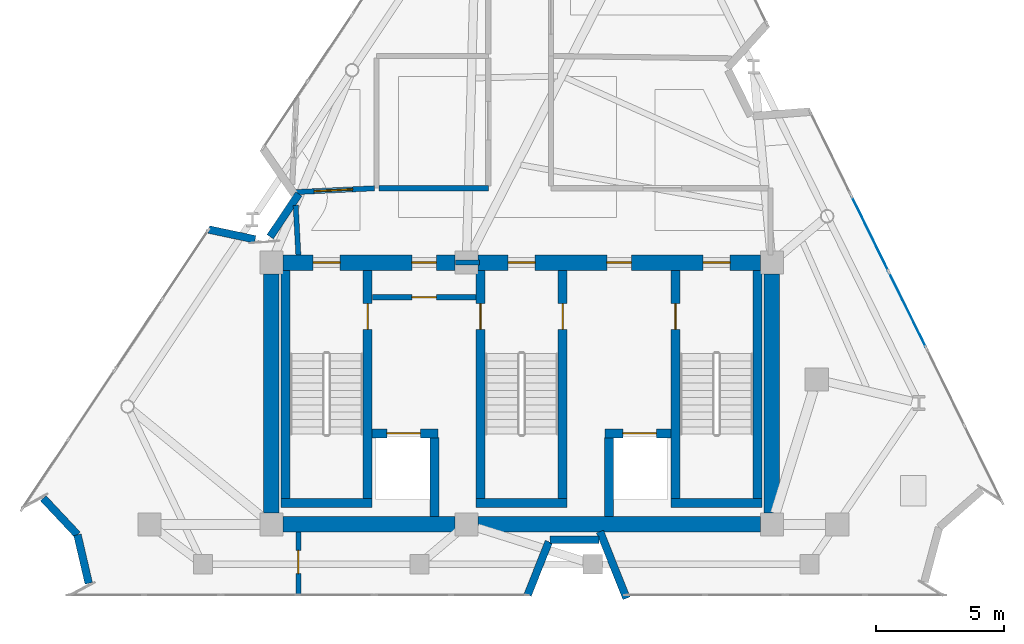
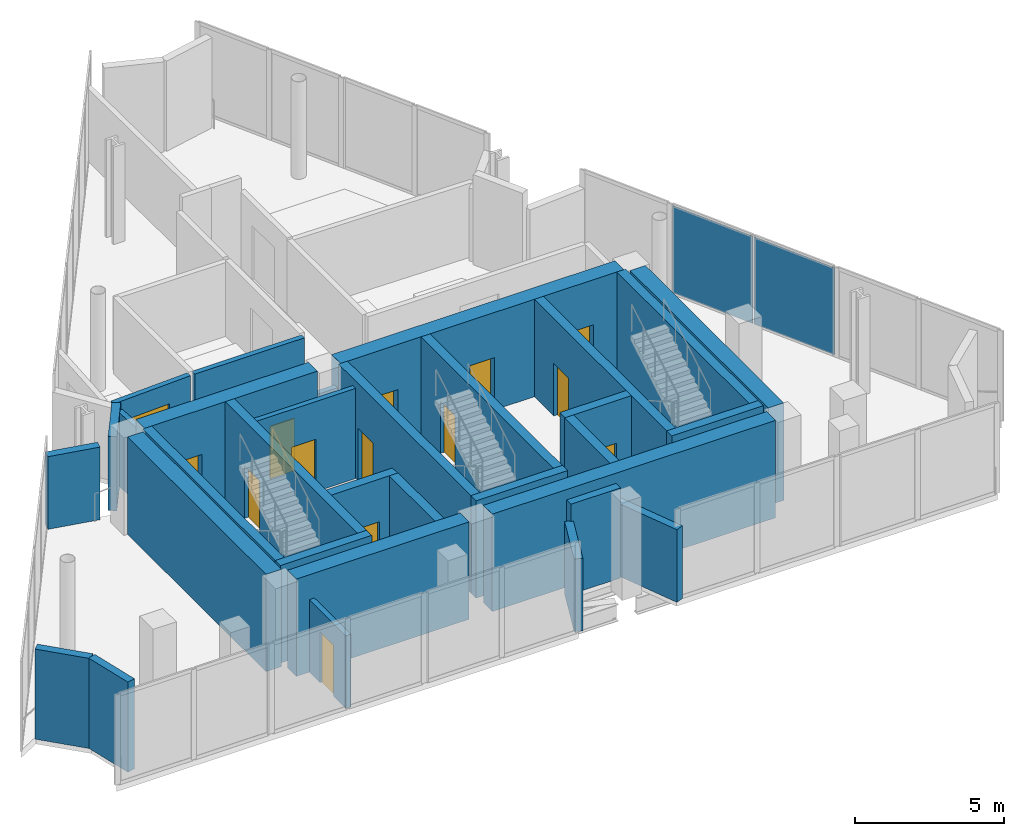
# One storey, part 6 of 9: 32 walls, 14 doors, 2 plates, 14 openings, 1 element without a shape of its own.
"""IFC4 building model written with IfcOpenShell, lengths in metres."""

from ifc_helpers import new_model, si_unit, direction, frame, frame_2d, origin, origin_2d, place, context, subcontext, project, spatial, rectangle, extrude, material, layer, layer_set, type_object, element, fill, aggregate, save


model = new_model("IFC4")

# Units and contexts
model_context = context("Model", 3, precision=1e-05, world=origin(), true_north=direction((0.0, 1.0)))
body_context = subcontext(model_context, "Body", "Model", "MODEL_VIEW")
ifc_project = project(units=[si_unit("LENGTHUNIT", "METRE"), si_unit("AREAUNIT", "SQUARE_METRE"), si_unit("VOLUMEUNIT", "CUBIC_METRE"), si_unit("PLANEANGLEUNIT", "RADIAN"), si_unit("MASSUNIT", "GRAM", prefix="KILO")], contexts=[model_context])

# Site, building, storey
site_placement = place(None, origin())
site = spatial("IfcSite", under=ifc_project, at=site_placement, CompositionType="ELEMENT")
building_placement = place(site_placement, origin())
building = spatial("IfcBuilding", under=site, at=building_placement, Name="Almagre Mirador Tower", CompositionType="ELEMENT")
storey_placement = place(building_placement, frame((0.0, 0.0, 302.5)))
storey = spatial("IfcBuildingStorey", under=building, at=storey_placement, Name="L78", CompositionType="ELEMENT", Elevation=302.5)

# Curtain wall, plates
ifc_material_1 = material(Name="Black anodized aluminium", Category="aluminium")
ifc_layer_1 = layer(ifc_material_1, 0.2099609375)
ifc_layer_set_1 = layer_set([ifc_layer_1], Name="Black anodized aluminium")
curtain_wall_type = type_object("IfcCurtainWallType", Name="CW-CRN-SYS", PredefinedType="NOTDEFINED", material=ifc_layer_set_1)
curtain_wall_placement = place(storey_placement, origin())
curtain_wall = element("IfcCurtainWall", 1, at=curtain_wall_placement, inside=storey, type_object=curtain_wall_type, Name="L78 curtain wall run 09", PredefinedType="NOTDEFINED")
ifc_material_2 = material(Name="Dark solar-control laminated hurricane glass", Category="glass")
ifc_layer_2 = layer(ifc_material_2, 0.030029296875)
ifc_layer_set_2 = layer_set([ifc_layer_2], Name="Dark solar-control laminated hurricane glass")
plate_type = type_object("IfcPlateType", Name="PLT-SPN-30", PredefinedType="CURTAIN_PANEL", material=ifc_layer_set_2)
plate_1_placement = place(storey_placement, frame((50.874755859375, 15.883056640625, 0.06494140625), z_axis=(0.0, 0.0, 1.0), x_axis=(0.441262450712, -0.897378097343, 0.0)))
plate_1 = element("IfcPlate", 2, at=plate_1_placement, type_object=plate_type, Name="CW-6 panel 1.1", PredefinedType="CURTAIN_PANEL", context=body_context, shape_type="SweptSolid", body=[
    extrude(rectangle(XDim=3.240966796875, YDim=0.030029296875, at=origin_2d()), origin(), (0.0, 0.0, 1.0), 3.570068359375),
])
plate_2_placement = place(storey_placement, frame((52.3359375, 12.91162109375, 0.06494140625), z_axis=(0.0, 0.0, 1.0), x_axis=(0.441262450712, -0.897378097343, 0.0)))
plate_2 = element("IfcPlate", 3, at=plate_2_placement, type_object=plate_type, Name="CW-6 panel 2.1", PredefinedType="CURTAIN_PANEL", context=body_context, shape_type="SweptSolid", body=[
    extrude(rectangle(XDim=3.240966796875, YDim=0.030029296875, at=origin_2d()), origin(), (0.0, 0.0, 1.0), 3.570068359375),
])
aggregate(curtain_wall, [plate_1, plate_2])

# Walls
ifc_material_3 = material(Name="Precast concrete C50/60", Category="concrete")
ifc_layer_3 = layer(ifc_material_3, 0.300048828125)
ifc_layer_set_3 = layer_set([ifc_layer_3], Name="Precast concrete C50/60")
wall_type_1 = type_object("IfcWallType", Name="WAL-EXT-300", PredefinedType="SOLIDWALL", material=ifc_layer_set_3)
wall_1_placement = place(storey_placement, frame((25.106201171875, 16.039794921875, 0.0), z_axis=(0.0, 0.0, 1.0), x_axis=(0.978002892231, -0.208591329607, 0.0)))
element("IfcWall", 4, at=wall_1_placement, inside=storey, type_object=wall_type_1, Name="L78 expressed almagre precast frame wall 01", PredefinedType="SOLIDWALL", context=body_context, shape_type="SweptSolid", body=[
    extrude(rectangle(XDim=1.849365234375, YDim=0.300048828125, at=frame_2d((0.9248046875, 0.0))), origin(), (0.0, 0.0, 1.0), 2.98193359375),
])
wall_2_placement = place(storey_placement, frame((27.501953125, 15.756103515625, 0.0), z_axis=(0.0, 0.0, 1.0), x_axis=(0.555175962623, 0.831732920189, 0.0)))
element("IfcWall", 5, at=wall_2_placement, inside=storey, type_object=wall_type_1, Name="L78 expressed almagre precast frame wall 02", PredefinedType="SOLIDWALL", context=body_context, shape_type="SweptSolid", body=[
    extrude(rectangle(XDim=2.0126953125, YDim=0.300048828125, at=frame_2d((1.00634765625, 0.0))), origin(), (0.0, 0.0, 1.0), 3.0400390625),
])
wall_3_placement = place(storey_placement, frame((41.3876953125, 1.670166015625, 0.0), z_axis=(0.0, 0.0, 1.0), x_axis=(-0.369522281606, 0.929221869844, 0.0)))
element("IfcWall", 6, at=wall_3_placement, inside=storey, type_object=wall_type_1, Name="L78 expressed almagre precast frame wall 11", PredefinedType="SOLIDWALL", context=body_context, shape_type="SweptSolid", body=[
    extrude(rectangle(XDim=2.794677734375, YDim=0.300048828125, at=frame_2d((1.3974609375, 0.0))), origin(), (0.0, 0.0, 1.0), 2.98193359375),
])
wall_4_placement = place(storey_placement, frame((40.319091796875, 3.949951171875, 0.0), z_axis=(0.0, 0.0, 1.0), x_axis=(-1.0, 0.0, 0.0)))
element("IfcWall", 7, at=wall_4_placement, inside=storey, type_object=wall_type_1, Name="L78 expressed almagre precast frame wall 12", PredefinedType="SOLIDWALL", context=body_context, shape_type="SweptSolid", body=[
    extrude(rectangle(XDim=1.92138671875, YDim=0.300048828125, at=frame_2d((0.960693359375, 0.0))), origin(), (0.0, 0.0, 1.0), 3.699951171875),
])
wall_5_placement = place(storey_placement, frame((38.360107421875, 3.872314453125, 0.0), z_axis=(0.0, 0.0, 1.0), x_axis=(-0.369521081778, -0.929222346977, 0.0)))
element("IfcWall", 8, at=wall_5_placement, inside=storey, type_object=wall_type_1, Name="L78 expressed almagre precast frame wall 13", PredefinedType="SOLIDWALL", context=body_context, shape_type="SweptSolid", body=[
    extrude(rectangle(XDim=2.229736328125, YDim=0.300048828125, at=frame_2d((1.11474609375, 0.0))), origin(), (0.0, 0.0, 1.0), 2.98193359375),
])
wall_6_placement = place(storey_placement, frame((20.431396484375, 2.25341796875, 0.0), z_axis=(0.0, 0.0, 1.0), x_axis=(-0.226355436514, 0.97404477123, 0.0)))
element("IfcWall", 9, at=wall_6_placement, inside=storey, type_object=wall_type_1, Name="L78 expressed almagre precast frame wall 14", PredefinedType="SOLIDWALL", context=body_context, shape_type="SweptSolid", body=[
    extrude(rectangle(XDim=1.942626953125, YDim=0.300048828125, at=frame_2d((0.97119140625, 0.0))), origin(), (0.0, 0.0, 1.0), 3.699951171875),
])
wall_7_placement = place(storey_placement, frame((19.9892578125, 4.14990234375, 0.0), z_axis=(0.0, 0.0, 1.0), x_axis=(-0.684517683679, 0.728996255636, 0.0)))
element("IfcWall", 10, at=wall_7_placement, inside=storey, type_object=wall_type_1, Name="L78 expressed almagre precast frame wall 15", PredefinedType="SOLIDWALL", context=body_context, shape_type="SweptSolid", body=[
    extrude(rectangle(XDim=1.943115234375, YDim=0.300048828125, at=frame_2d((0.9716796875, 0.0))), origin(), (0.0, 0.0, 1.0), 3.699951171875),
])
ifc_material_4 = material(Name="Gypsum acoustic stud partition", Category="other")
ifc_layer_4 = layer(ifc_material_4, 0.199951171875)
ifc_layer_set_4 = layer_set([ifc_layer_4], Name="Gypsum acoustic stud partition")
wall_type_2 = type_object("IfcWallType", Name="WAL-PRT-200-EI60", PredefinedType="PARTITIONING", material=ifc_layer_set_4)
wall_8_placement = place(storey_placement, frame((34.719970703125, 14.75, 0.0), z_axis=(0.0, 0.0, 1.0), x_axis=(1.0, 0.0, 0.0)))
element("IfcWall", 11, at=wall_8_placement, inside=storey, type_object=wall_type_2, Name="L78 core north closure wall", PredefinedType="PARTITIONING", context=body_context, shape_type="SweptSolid", body=[
    extrude(rectangle(XDim=0.93505859375, YDim=0.199951171875, at=frame_2d((0.467529296875, 0.0))), origin(), (0.0, 0.0, 1.0), 2.885009765625),
])

# Wall, opening, door
wall_9_placement = place(storey_placement, frame((31.47998046875, 13.39990234375, 0.0), z_axis=(0.0, 0.0, 1.0), x_axis=(1.0, 0.0, 0.0)))
wall_9 = element("IfcWall", 12, at=wall_9_placement, inside=storey, type_object=wall_type_2, Name="L78 FFL-1 north enclosure wall", PredefinedType="PARTITIONING", context=body_context, shape_type="SweptSolid", body=[
    extrude(rectangle(XDim=4.0400390625, YDim=0.199951171875, at=frame_2d((2.02001953125, 0.0))), origin(), (0.0, 0.0, 1.0), 3.699951171875),
])
opening_1_placement = place(wall_9_placement, frame((1.544921875, 0.0, 0.0)))
opening_1 = element("IfcOpeningElement", 13, at=opening_1_placement, cuts=wall_9, Name="Opening ID-02", PredefinedType="OPENING", context=body_context, shape_type="SweptSolid", body=[
    extrude(rectangle(XDim=0.949951171875, YDim=2.14990234375, at=frame_2d((0.47509765625, 1.074951171875))), frame((0.0, 0.110098, 0.0), z_axis=(0.0, -1.0, 0.0), x_axis=(1.0, 0.0, 0.0)), (0.0, 0.0, 1.0), 0.219951),
])
ifc_material_5 = material(Name="Fire-rated walnut timber", Category="wood")
door_type_1 = type_object("IfcDoorType", Name="DOR-FD60-950X2150", OperationType="NOTDEFINED", PredefinedType="DOOR", material=ifc_material_5)
door_1_placement = place(opening_1_placement, origin())
door_1 = element("IfcDoor", 14, at=door_1_placement, inside=storey, type_object=door_type_1, Name="DR-2299 L78 FFL-1 north smoke door", OperationType="SINGLE_SWING_RIGHT", OverallHeight=2.14990234375, OverallWidth=0.949951171875, PredefinedType="DOOR", context=body_context, shape_type="SweptSolid", body=[
    extrude(rectangle(XDim=0.949951171875, YDim=2.14990234375, at=frame_2d((0.47509765625, 1.074951171875))), frame((0.0, 0.02490234375, 0.0), z_axis=(0.0, -1.0, 0.0), x_axis=(1.0, 0.0, 0.0)), (0.0, 0.0, 1.0), 0.050048828125),
])
fill(opening_1, door_1)

# Wall
wall_10_placement = place(storey_placement, frame((31.735107421875, 17.64990234375, 0.0), z_axis=(0.0, 0.0, 1.0), x_axis=(1.0, 0.0, 0.0)))
element("IfcWall", 15, at=wall_10_placement, inside=storey, type_object=wall_type_2, Name="L78 interior partition 004", PredefinedType="PARTITIONING", context=body_context, shape_type="SweptSolid", body=[
    extrude(rectangle(XDim=4.264892578125, YDim=0.199951171875, at=frame_2d((2.13232421875, 0.0))), origin(), (0.0, 0.0, 1.0), 3.034912109375),
])

# Wall, opening, door
wall_11_placement = place(storey_placement, frame((28.60009765625, 4.25, 0.0), z_axis=(0.0, 0.0, 1.0), x_axis=(0.0, -1.0, 0.0)))
wall_11 = element("IfcWall", 16, at=wall_11_placement, inside=storey, type_object=wall_type_2, Name="L78 interior partition 006", PredefinedType="PARTITIONING", context=body_context, shape_type="SweptSolid", body=[
    extrude(rectangle(XDim=2.449951171875, YDim=0.199951171875, at=frame_2d((1.22509765625, 0.0))), origin(), (0.0, 0.0, 1.0), 2.97705078125),
])
opening_2_placement = place(wall_11_placement, frame((0.71728515625, 0.0, 0.0)))
opening_2 = element("IfcOpeningElement", 17, at=opening_2_placement, cuts=wall_11, Name="Opening ID-03", PredefinedType="OPENING", context=body_context, shape_type="SweptSolid", body=[
    extrude(rectangle(XDim=0.89990234375, YDim=2.10009765625, at=frame_2d((0.449951171875, 1.050048828125))), frame((0.0, 0.110098, 0.0), z_axis=(0.0, -1.0, 0.0), x_axis=(1.0, 0.0, 0.0)), (0.0, 0.0, 1.0), 0.219951),
])
ifc_material_6 = material(Name="Fire-rated hollow steel", Category="steel")
door_type_2 = type_object("IfcDoorType", Name="DOR-FD60-900X2100", OperationType="NOTDEFINED", PredefinedType="DOOR", material=ifc_material_6)
door_2_placement = place(opening_2_placement, origin())
door_2 = element("IfcDoor", 18, at=door_2_placement, inside=storey, type_object=door_type_2, Name="DR-2309 L78 interior door L78-KPLT7 to L78-KPLT6", OperationType="SINGLE_SWING_LEFT", OverallHeight=2.10009765625, OverallWidth=0.89990234375, PredefinedType="DOOR", context=body_context, shape_type="SweptSolid", body=[
    extrude(rectangle(XDim=0.89990234375, YDim=2.10009765625, at=frame_2d((0.449951171875, 1.050048828125))), frame((0.0, 0.02490234375, 0.0), z_axis=(0.0, -1.0, 0.0), x_axis=(1.0, 0.0, 0.0)), (0.0, 0.0, 1.0), 0.050048828125),
])
fill(opening_2, door_2)

wall_12_placement = place(storey_placement, frame((28.5048828125, 17.498046875, 0.0), z_axis=(0.0, 0.0, 1.0), x_axis=(0.998829596157, 0.04836773553, 0.0)))
wall_12 = element("IfcWall", 19, at=wall_12_placement, inside=storey, type_object=wall_type_2, Name="L78 interior partition 008", PredefinedType="PARTITIONING", context=body_context, shape_type="SweptSolid", body=[
    extrude(rectangle(XDim=3.06396484375, YDim=0.199951171875, at=frame_2d((1.531982421875, 0.0))), origin(), (0.0, 0.0, 1.0), 3.034912109375),
])
opening_3_placement = place(wall_12_placement, frame((0.711181640625, 0.0, 0.0)))
opening_3 = element("IfcOpeningElement", 20, at=opening_3_placement, cuts=wall_12, Name="Opening ID-04", PredefinedType="OPENING", context=body_context, shape_type="SweptSolid", body=[
    extrude(rectangle(XDim=1.5, YDim=2.199951171875, at=frame_2d((0.75, 1.10009765625))), frame((0.0, 0.110098, 0.0), z_axis=(0.0, -1.0, 0.0), x_axis=(1.0, 0.0, 0.0)), (0.0, 0.0, 1.0), 0.219951),
])
ifc_material_7 = material(Name="Fire-rated hollow steel", Category="steel")
door_type_3 = type_object("IfcDoorType", Name="DOR-FD60-1500X2200", OperationType="DOUBLE_DOOR_SINGLE_SWING", PredefinedType="DOOR", material=ifc_material_7)
door_3_placement = place(opening_3_placement, origin())
door_3 = element("IfcDoor", 21, at=door_3_placement, inside=storey, type_object=door_type_3, Name="DR-2305 L78 interior door L78-KPLT4 to L78-KCOR", OperationType="DOUBLE_DOOR_SINGLE_SWING", OverallHeight=2.199951171875, OverallWidth=1.5, PredefinedType="DOOR", context=body_context, shape_type="SweptSolid", body=[
    extrude(rectangle(XDim=1.5, YDim=2.199951171875, at=frame_2d((0.75, 1.10009765625))), frame((0.0, 0.02490234375, 0.0), z_axis=(0.0, -1.0, 0.0), x_axis=(1.0, 0.0, 0.0)), (0.0, 0.0, 1.0), 0.050048828125),
])
fill(opening_3, door_3)

# Walls
wall_13_placement = place(storey_placement, frame((28.49609375, 16.98388671875, 0.0), z_axis=(0.0, 0.0, 1.0), x_axis=(0.053703478209, -0.998556926984, 0.0)))
element("IfcWall", 22, at=wall_13_placement, inside=storey, type_object=wall_type_2, Name="L78 interior partition 014", PredefinedType="PARTITIONING", context=body_context, shape_type="SweptSolid", body=[
    extrude(rectangle(XDim=1.9365234375, YDim=0.199951171875, at=frame_2d((0.96826171875, 0.0))), origin(), (0.0, 0.0, 1.0), 3.034912109375),
])
ifc_material_8 = material(Name="Concrete C60/75", Category="concrete")
ifc_layer_5 = layer(ifc_material_8, 0.35009765625)
ifc_layer_set_5 = layer_set([ifc_layer_5], Name="Concrete C60/75")
wall_type_3 = type_object("IfcWallType", Name="WAL-SHF-350", PredefinedType="SOLIDWALL", material=ifc_layer_set_5)
wall_14_placement = place(storey_placement, frame((28.10009765625, 5.199951171875, 0.0), z_axis=(0.0, 0.0, 1.0), x_axis=(0.0, 1.0, 0.0)))
element("IfcWall", 23, at=wall_14_placement, inside=storey, type_object=wall_type_3, Name="L78 shaft wall ST1-W", PredefinedType="SOLIDWALL", context=body_context, shape_type="SweptSolid", body=[
    extrude(rectangle(XDim=9.25, YDim=0.35009765625, at=frame_2d((4.625, 0.0))), origin(), (0.0, 0.0, 1.0), 4.0),
])

# Wall, opening, door
wall_15_placement = place(storey_placement, frame((31.300048828125, 5.199951171875, 0.0), z_axis=(0.0, 0.0, 1.0), x_axis=(0.0, 1.0, 0.0)))
wall_15 = element("IfcWall", 24, at=wall_15_placement, inside=storey, type_object=wall_type_3, Name="L78 shaft wall ST1-E", PredefinedType="SOLIDWALL", context=body_context, shape_type="SweptSolid", body=[
    extrude(rectangle(XDim=9.25, YDim=0.35009765625, at=frame_2d((4.625, 0.0))), origin(), (0.0, 0.0, 1.0), 4.0),
])
opening_4_placement = place(wall_15_placement, frame((6.949951171875, 0.0, 0.0)))
opening_4 = element("IfcOpeningElement", 25, at=opening_4_placement, cuts=wall_15, Name="Opening FD-01", PredefinedType="OPENING", context=body_context, shape_type="SweptSolid", body=[
    extrude(rectangle(XDim=1.0, YDim=2.14990234375, at=frame_2d((0.5, 1.074951171875))), frame((0.0, 0.185049, 0.0), z_axis=(0.0, -1.0, 0.0), x_axis=(1.0, 0.0, 0.0)), (0.0, 0.0, 1.0), 0.370098),
])
ifc_material_9 = material(Name="Fire-rated hollow steel", Category="steel")
door_type_4 = type_object("IfcDoorType", Name="DOR-FFL-1000X2150", OperationType="NOTDEFINED", PredefinedType="DOOR", material=ifc_material_9)
door_4_placement = place(opening_4_placement, origin())
door_4 = element("IfcDoor", 26, at=door_4_placement, inside=storey, type_object=door_type_4, Name="DR-2300 L78 FFL1-ST1 smokeproof door", OperationType="SINGLE_SWING_RIGHT", OverallHeight=2.14990234375, OverallWidth=1.0, PredefinedType="DOOR", context=body_context, shape_type="SweptSolid", body=[
    extrude(rectangle(XDim=1.0, YDim=2.14990234375, at=frame_2d((0.5, 1.074951171875))), frame((0.0, 0.02490234375, 0.0), z_axis=(0.0, -1.0, 0.0), x_axis=(1.0, 0.0, 0.0)), (0.0, 0.0, 1.0), 0.050048828125),
])
fill(opening_4, door_4)

# Wall
wall_16_placement = place(storey_placement, frame((27.925048828125, 5.375, 0.0), z_axis=(0.0, 0.0, 1.0), x_axis=(1.0, 0.0, 0.0)))
element("IfcWall", 27, at=wall_16_placement, inside=storey, type_object=wall_type_3, Name="L78 shaft wall ST1-S", PredefinedType="SOLIDWALL", context=body_context, shape_type="SweptSolid", body=[
    extrude(rectangle(XDim=3.550048828125, YDim=0.35009765625, at=frame_2d((1.77490234375, 0.0))), origin(), (0.0, 0.0, 1.0), 4.0),
])

# Wall, opening, door
wall_17_placement = place(storey_placement, frame((35.699951171875, 5.199951171875, 0.0), z_axis=(0.0, 0.0, 1.0), x_axis=(0.0, 1.0, 0.0)))
wall_17 = element("IfcWall", 28, at=wall_17_placement, inside=storey, type_object=wall_type_3, Name="L78 shaft wall ST2-W", PredefinedType="SOLIDWALL", context=body_context, shape_type="SweptSolid", body=[
    extrude(rectangle(XDim=9.25, YDim=0.35009765625, at=frame_2d((4.625, 0.0))), origin(), (0.0, 0.0, 1.0), 4.0),
])
opening_5_placement = place(wall_17_placement, frame((6.949951171875, 0.0, 0.0)))
opening_5 = element("IfcOpeningElement", 29, at=opening_5_placement, cuts=wall_17, Name="Opening FD-01", PredefinedType="OPENING", context=body_context, shape_type="SweptSolid", body=[
    extrude(rectangle(XDim=1.0, YDim=2.14990234375, at=frame_2d((0.5, 1.074951171875))), frame((0.0, 0.185049, 0.0), z_axis=(0.0, -1.0, 0.0), x_axis=(1.0, 0.0, 0.0)), (0.0, 0.0, 1.0), 0.370098),
])
door_5_placement = place(opening_5_placement, origin())
door_5 = element("IfcDoor", 30, at=door_5_placement, inside=storey, type_object=door_type_4, Name="DR-2301 L78 FFL1-ST2 smokeproof door", OperationType="SINGLE_SWING_LEFT", OverallHeight=2.14990234375, OverallWidth=1.0, PredefinedType="DOOR", context=body_context, shape_type="SweptSolid", body=[
    extrude(rectangle(XDim=1.0, YDim=2.14990234375, at=frame_2d((0.5, 1.074951171875))), frame((0.0, 0.02490234375, 0.0), z_axis=(0.0, -1.0, 0.0), x_axis=(1.0, 0.0, 0.0)), (0.0, 0.0, 1.0), 0.050048828125),
])
fill(opening_5, door_5)

wall_18_placement = place(storey_placement, frame((38.89990234375, 5.199951171875, 0.0), z_axis=(0.0, 0.0, 1.0), x_axis=(0.0, 1.0, 0.0)))
wall_18 = element("IfcWall", 31, at=wall_18_placement, inside=storey, type_object=wall_type_3, Name="L78 shaft wall ST2-E", PredefinedType="SOLIDWALL", context=body_context, shape_type="SweptSolid", body=[
    extrude(rectangle(XDim=9.25, YDim=0.35009765625, at=frame_2d((4.625, 0.0))), origin(), (0.0, 0.0, 1.0), 4.0),
])
opening_6_placement = place(wall_18_placement, frame((6.949951171875, 0.0, 0.0)))
opening_6 = element("IfcOpeningElement", 32, at=opening_6_placement, cuts=wall_18, Name="Opening FD-01", PredefinedType="OPENING", context=body_context, shape_type="SweptSolid", body=[
    extrude(rectangle(XDim=1.0, YDim=2.14990234375, at=frame_2d((0.5, 1.074951171875))), frame((0.0, 0.185049, 0.0), z_axis=(0.0, -1.0, 0.0), x_axis=(1.0, 0.0, 0.0)), (0.0, 0.0, 1.0), 0.370098),
])
door_6_placement = place(opening_6_placement, origin())
door_6 = element("IfcDoor", 33, at=door_6_placement, inside=storey, type_object=door_type_4, Name="DR-2302 L78 FFL2-ST2 smokeproof door", OperationType="SINGLE_SWING_RIGHT", OverallHeight=2.14990234375, OverallWidth=1.0, PredefinedType="DOOR", context=body_context, shape_type="SweptSolid", body=[
    extrude(rectangle(XDim=1.0, YDim=2.14990234375, at=frame_2d((0.5, 1.074951171875))), frame((0.0, 0.02490234375, 0.0), z_axis=(0.0, -1.0, 0.0), x_axis=(1.0, 0.0, 0.0)), (0.0, 0.0, 1.0), 0.050048828125),
])
fill(opening_6, door_6)

# Wall
wall_19_placement = place(storey_placement, frame((35.52490234375, 5.375, 0.0), z_axis=(0.0, 0.0, 1.0), x_axis=(1.0, 0.0, 0.0)))
element("IfcWall", 34, at=wall_19_placement, inside=storey, type_object=wall_type_3, Name="L78 shaft wall ST2-S", PredefinedType="SOLIDWALL", context=body_context, shape_type="SweptSolid", body=[
    extrude(rectangle(XDim=3.550048828125, YDim=0.35009765625, at=frame_2d((1.77490234375, 0.0))), origin(), (0.0, 0.0, 1.0), 4.0),
])

# Wall, opening, door
wall_20_placement = place(storey_placement, frame((43.300048828125, 5.199951171875, 0.0), z_axis=(0.0, 0.0, 1.0), x_axis=(0.0, 1.0, 0.0)))
wall_20 = element("IfcWall", 35, at=wall_20_placement, inside=storey, type_object=wall_type_3, Name="L78 shaft wall ST3-W", PredefinedType="SOLIDWALL", context=body_context, shape_type="SweptSolid", body=[
    extrude(rectangle(XDim=9.25, YDim=0.35009765625, at=frame_2d((4.625, 0.0))), origin(), (0.0, 0.0, 1.0), 4.0),
])
opening_7_placement = place(wall_20_placement, frame((6.949951171875, 0.0, 0.0)))
opening_7 = element("IfcOpeningElement", 36, at=opening_7_placement, cuts=wall_20, Name="Opening FD-01", PredefinedType="OPENING", context=body_context, shape_type="SweptSolid", body=[
    extrude(rectangle(XDim=1.0, YDim=2.14990234375, at=frame_2d((0.5, 1.074951171875))), frame((0.0, 0.185049, 0.0), z_axis=(0.0, -1.0, 0.0), x_axis=(1.0, 0.0, 0.0)), (0.0, 0.0, 1.0), 0.370098),
])
door_7_placement = place(opening_7_placement, origin())
door_7 = element("IfcDoor", 37, at=door_7_placement, inside=storey, type_object=door_type_4, Name="DR-2303 L78 FFL2-ST3 smokeproof door", OperationType="SINGLE_SWING_LEFT", OverallHeight=2.14990234375, OverallWidth=1.0, PredefinedType="DOOR", context=body_context, shape_type="SweptSolid", body=[
    extrude(rectangle(XDim=1.0, YDim=2.14990234375, at=frame_2d((0.5, 1.074951171875))), frame((0.0, 0.02490234375, 0.0), z_axis=(0.0, -1.0, 0.0), x_axis=(1.0, 0.0, 0.0)), (0.0, 0.0, 1.0), 0.050048828125),
])
fill(opening_7, door_7)

# Walls
wall_21_placement = place(storey_placement, frame((46.5, 5.199951171875, 0.0), z_axis=(0.0, 0.0, 1.0), x_axis=(0.0, 1.0, 0.0)))
element("IfcWall", 38, at=wall_21_placement, inside=storey, type_object=wall_type_3, Name="L78 shaft wall ST3-E", PredefinedType="SOLIDWALL", context=body_context, shape_type="SweptSolid", body=[
    extrude(rectangle(XDim=9.25, YDim=0.35009765625, at=frame_2d((4.625, 0.0))), origin(), (0.0, 0.0, 1.0), 4.0),
])
wall_22_placement = place(storey_placement, frame((43.125, 5.375, 0.0), z_axis=(0.0, 0.0, 1.0), x_axis=(1.0, 0.0, 0.0)))
element("IfcWall", 39, at=wall_22_placement, inside=storey, type_object=wall_type_3, Name="L78 shaft wall ST3-S", PredefinedType="SOLIDWALL", context=body_context, shape_type="SweptSolid", body=[
    extrude(rectangle(XDim=3.550048828125, YDim=0.35009765625, at=frame_2d((1.77490234375, 0.0))), origin(), (0.0, 0.0, 1.0), 4.0),
])

# Wall, opening, door
wall_23_placement = place(storey_placement, frame((31.47509765625, 8.10009765625, 0.0), z_axis=(0.0, 0.0, 1.0), x_axis=(1.0, 0.0, 0.0)))
wall_23 = element("IfcWall", 40, at=wall_23_placement, inside=storey, type_object=wall_type_3, Name="L78 shaft wall FSAE1-N", PredefinedType="SOLIDWALL", context=body_context, shape_type="SweptSolid", body=[
    extrude(rectangle(XDim=2.574951171875, YDim=0.35009765625, at=frame_2d((1.28759765625, 0.0))), origin(), (0.0, 0.0, 1.0), 4.0),
])
opening_8_placement = place(wall_23_placement, frame((0.574951171875, 0.0, 0.0)))
opening_8 = element("IfcOpeningElement", 41, at=opening_8_placement, cuts=wall_23, Name="Opening LD-03", PredefinedType="OPENING", context=body_context, shape_type="SweptSolid", body=[
    extrude(rectangle(XDim=1.300048828125, YDim=2.25, at=frame_2d((0.64990234375, 1.125))), frame((0.0, 0.185049, 0.0), z_axis=(0.0, -1.0, 0.0), x_axis=(1.0, 0.0, 0.0)), (0.0, 0.0, 1.0), 0.370098),
])
ifc_material_10 = material(Name="Hollow stainless steel", Category="steel")
door_type_5 = type_object("IfcDoorType", Name="DOR-LD-1300X2250", OperationType="DOUBLE_DOOR_SLIDING", PredefinedType="DOOR", material=ifc_material_10)
door_8_placement = place(opening_8_placement, origin())
door_8 = element("IfcDoor", 42, at=door_8_placement, inside=storey, type_object=door_type_5, Name="DR-2310 L78 FSAE-1 lift landing door", OperationType="DOUBLE_DOOR_SLIDING", OverallHeight=2.25, OverallWidth=1.300048828125, PredefinedType="DOOR", context=body_context, shape_type="SweptSolid", body=[
    extrude(rectangle(XDim=1.300048828125, YDim=2.25, at=frame_2d((0.64990234375, 1.125))), frame((0.0, 0.02490234375, 0.0), z_axis=(0.0, -1.0, 0.0), x_axis=(1.0, 0.0, 0.0)), (0.0, 0.0, 1.0), 0.050048828125),
])
fill(opening_8, door_8)

wall_24_placement = place(storey_placement, frame((40.550048828125, 8.10009765625, 0.0), z_axis=(0.0, 0.0, 1.0), x_axis=(1.0, 0.0, 0.0)))
wall_24 = element("IfcWall", 43, at=wall_24_placement, inside=storey, type_object=wall_type_3, Name="L78 shaft wall FSAE2-N", PredefinedType="SOLIDWALL", context=body_context, shape_type="SweptSolid", body=[
    extrude(rectangle(XDim=2.574951171875, YDim=0.35009765625, at=frame_2d((1.28759765625, 0.0))), origin(), (0.0, 0.0, 1.0), 4.0),
])
opening_9_placement = place(wall_24_placement, frame((0.699951171875, 0.0, 0.0)))
opening_9 = element("IfcOpeningElement", 44, at=opening_9_placement, cuts=wall_24, Name="Opening LD-03", PredefinedType="OPENING", context=body_context, shape_type="SweptSolid", body=[
    extrude(rectangle(XDim=1.300048828125, YDim=2.25, at=frame_2d((0.64990234375, 1.125))), frame((0.0, 0.185049, 0.0), z_axis=(0.0, -1.0, 0.0), x_axis=(1.0, 0.0, 0.0)), (0.0, 0.0, 1.0), 0.370098),
])
door_9_placement = place(opening_9_placement, origin())
door_9 = element("IfcDoor", 45, at=door_9_placement, inside=storey, type_object=door_type_5, Name="DR-2311 L78 FSAE-2 lift landing door", OperationType="DOUBLE_DOOR_SLIDING", OverallHeight=2.25, OverallWidth=1.300048828125, PredefinedType="DOOR", context=body_context, shape_type="SweptSolid", body=[
    extrude(rectangle(XDim=1.300048828125, YDim=2.25, at=frame_2d((0.64990234375, 1.125))), frame((0.0, 0.02490234375, 0.0), z_axis=(0.0, -1.0, 0.0), x_axis=(1.0, 0.0, 0.0)), (0.0, 0.0, 1.0), 0.050048828125),
])
fill(opening_9, door_9)

# Walls
for number, where, z_axis, x_axis, name in (
    (46, (33.89990234375, 4.85009765625, 0.0), (0.0, 0.0, 1.0), (0.0, 1.0, 0.0), "L78 shaft wall FSAE1-E"),
    (47, (40.699951171875, 4.85009765625, 0.0), (0.0, 0.0, 1.0), (0.0, 1.0, 0.0), "L78 shaft wall FSAE2-W"),
):
    element("IfcWall", number, at=place(storey_placement, frame(where, z_axis=z_axis, x_axis=x_axis)), inside=storey, type_object=wall_type_3, Name=name, PredefinedType="SOLIDWALL", context=body_context, shape_type="SweptSolid", body=[
        extrude(rectangle(XDim=3.074951171875, YDim=0.35009765625, at=frame_2d((1.53759765625, 0.0))), origin(), (0.0, 0.0, 1.0), 4.0),
    ])
ifc_material_11 = material(Name="Concrete C60/75", Category="concrete")
ifc_layer_6 = layer(ifc_material_11, 0.60009765625)
ifc_layer_set_6 = layer_set([ifc_layer_6], Name="Concrete C60/75")
wall_type_4 = type_object("IfcWallType", Name="WAL-SHR-600", PredefinedType="SHEAR", material=ifc_layer_set_6)
wall_25_placement = place(storey_placement, frame((28.0, 4.550048828125, 0.0), z_axis=(0.0, 0.0, 1.0), x_axis=(1.0, 0.0, 0.0)))
element("IfcWall", 48, at=wall_25_placement, inside=storey, type_object=wall_type_4, Name="L78 core shear wall S1", PredefinedType="SHEAR", context=body_context, shape_type="SweptSolid", body=[
    extrude(rectangle(XDim=6.699951171875, YDim=0.60009765625, at=frame_2d((3.35009765625, 0.0))), origin(), (0.0, 0.0, 1.0), 4.0),
])
wall_26_placement = place(storey_placement, frame((35.60009765625, 4.550048828125, 0.0), z_axis=(0.0, 0.0, 1.0), x_axis=(1.0, 0.0, 0.0)))
element("IfcWall", 49, at=wall_26_placement, inside=storey, type_object=wall_type_4, Name="L78 core shear wall S2", PredefinedType="SHEAR", context=body_context, shape_type="SweptSolid", body=[
    extrude(rectangle(XDim=11.0, YDim=0.60009765625, at=frame_2d((5.5, 0.0))), origin(), (0.0, 0.0, 1.0), 4.0),
])

# Wall, openings, doors
wall_27_placement = place(storey_placement, frame((28.0, 14.75, 0.0), z_axis=(0.0, 0.0, 1.0), x_axis=(1.0, 0.0, 0.0)))
wall_27 = element("IfcWall", 50, at=wall_27_placement, inside=storey, type_object=wall_type_4, Name="L78 core shear wall N1", PredefinedType="SHEAR", context=body_context, shape_type="SweptSolid", body=[
    extrude(rectangle(XDim=6.699951171875, YDim=0.60009765625, at=frame_2d((3.35009765625, 0.0))), origin(), (0.0, 0.0, 1.0), 4.0),
])
opening_10_placement = place(wall_27_placement, frame((1.175048828125, 0.0, 0.0)))
opening_10 = element("IfcOpeningElement", 51, at=opening_10_placement, cuts=wall_27, Name="Opening SD-01", PredefinedType="OPENING", context=body_context, shape_type="SweptSolid", body=[
    extrude(rectangle(XDim=1.050048828125, YDim=2.14990234375, at=frame_2d((0.52490234375, 1.074951171875))), frame((0.0, 0.310049, 0.0), z_axis=(0.0, -1.0, 0.0), x_axis=(1.0, 0.0, 0.0)), (0.0, 0.0, 1.0), 0.620098),
])
opening_11_placement = place(wall_27_placement, frame((5.02490234375, 0.0, 0.0)))
opening_11 = element("IfcOpeningElement", 52, at=opening_11_placement, cuts=wall_27, Name="Opening FD-02", PredefinedType="OPENING", context=body_context, shape_type="SweptSolid", body=[
    extrude(rectangle(XDim=0.949951171875, YDim=2.14990234375, at=frame_2d((0.47509765625, 1.074951171875))), frame((0.0, 0.310049, 0.0), z_axis=(0.0, -1.0, 0.0), x_axis=(1.0, 0.0, 0.0)), (0.0, 0.0, 1.0), 0.620098),
])
ifc_material_12 = material(Name="Fire-rated hollow steel", Category="steel")
door_type_6 = type_object("IfcDoorType", Name="DOR-FD90-950X2150", OperationType="NOTDEFINED", PredefinedType="DOOR", material=ifc_material_12)
door_10_placement = place(opening_11_placement, origin())
door_10 = element("IfcDoor", 53, at=door_10_placement, inside=storey, type_object=door_type_6, Name="DR-2298 L78 core equipment room north door", OperationType="SINGLE_SWING_LEFT", OverallHeight=2.14990234375, OverallWidth=0.949951171875, PredefinedType="DOOR", context=body_context, shape_type="SweptSolid", body=[
    extrude(rectangle(XDim=0.949951171875, YDim=2.14990234375, at=frame_2d((0.47509765625, 1.074951171875))), frame((0.0, 0.02490234375, 0.0), z_axis=(0.0, -1.0, 0.0), x_axis=(1.0, 0.0, 0.0)), (0.0, 0.0, 1.0), 0.050048828125),
])
fill(opening_11, door_10)
ifc_material_13 = material(Name="Fire-rated hollow steel", Category="steel")
door_type_7 = type_object("IfcDoorType", Name="DOR-ST-1050X2150", OperationType="NOTDEFINED", PredefinedType="DOOR", material=ifc_material_13)
door_11_placement = place(opening_10_placement, origin())
door_11 = element("IfcDoor", 54, at=door_11_placement, inside=storey, type_object=door_type_7, Name="DR-2312 L78 protected exit stair ST-1 door", OperationType="SINGLE_SWING_LEFT", OverallHeight=2.14990234375, OverallWidth=1.050048828125, PredefinedType="DOOR", context=body_context, shape_type="SweptSolid", body=[
    extrude(rectangle(XDim=1.050048828125, YDim=2.14990234375, at=frame_2d((0.52490234375, 1.074951171875))), frame((0.0, 0.02490234375, 0.0), z_axis=(0.0, -1.0, 0.0), x_axis=(1.0, 0.0, 0.0)), (0.0, 0.0, 1.0), 0.050048828125),
])
fill(opening_10, door_11)

wall_28_placement = place(storey_placement, frame((35.60009765625, 14.75, 0.0), z_axis=(0.0, 0.0, 1.0), x_axis=(1.0, 0.0, 0.0)))
wall_28 = element("IfcWall", 55, at=wall_28_placement, inside=storey, type_object=wall_type_4, Name="L78 core shear wall N2", PredefinedType="SHEAR", context=body_context, shape_type="SweptSolid", body=[
    extrude(rectangle(XDim=11.0, YDim=0.60009765625, at=frame_2d((5.5, 0.0))), origin(), (0.0, 0.0, 1.0), 4.0),
])
opening_12_placement = place(wall_28_placement, frame((1.175048828125, 0.0, 0.0)))
opening_12 = element("IfcOpeningElement", 56, at=opening_12_placement, cuts=wall_28, Name="Opening SD-01", PredefinedType="OPENING", context=body_context, shape_type="SweptSolid", body=[
    extrude(rectangle(XDim=1.050048828125, YDim=2.14990234375, at=frame_2d((0.52490234375, 1.074951171875))), frame((0.0, 0.310049, 0.0), z_axis=(0.0, -1.0, 0.0), x_axis=(1.0, 0.0, 0.0)), (0.0, 0.0, 1.0), 0.620098),
])
opening_13_placement = place(wall_28_placement, frame((8.77490234375, 0.0, 0.0)))
opening_13 = element("IfcOpeningElement", 57, at=opening_13_placement, cuts=wall_28, Name="Opening SD-01", PredefinedType="OPENING", context=body_context, shape_type="SweptSolid", body=[
    extrude(rectangle(XDim=1.050048828125, YDim=2.14990234375, at=frame_2d((0.52490234375, 1.074951171875))), frame((0.0, 0.310049, 0.0), z_axis=(0.0, -1.0, 0.0), x_axis=(1.0, 0.0, 0.0)), (0.0, 0.0, 1.0), 0.620098),
])
opening_14_placement = place(wall_28_placement, frame((5.02490234375, 0.0, 0.0)))
opening_14 = element("IfcOpeningElement", 58, at=opening_14_placement, cuts=wall_28, Name="Opening FD-02", PredefinedType="OPENING", context=body_context, shape_type="SweptSolid", body=[
    extrude(rectangle(XDim=0.949951171875, YDim=2.14990234375, at=frame_2d((0.47509765625, 1.074951171875))), frame((0.0, 0.310049, 0.0), z_axis=(0.0, -1.0, 0.0), x_axis=(1.0, 0.0, 0.0)), (0.0, 0.0, 1.0), 0.620098),
])
door_12_placement = place(opening_14_placement, origin())
door_12 = element("IfcDoor", 59, at=door_12_placement, inside=storey, type_object=door_type_6, Name="DR-2297 L78 high-zone core room north door", OperationType="SINGLE_SWING_RIGHT", OverallHeight=2.14990234375, OverallWidth=0.949951171875, PredefinedType="DOOR", context=body_context, shape_type="SweptSolid", body=[
    extrude(rectangle(XDim=0.949951171875, YDim=2.14990234375, at=frame_2d((0.47509765625, 1.074951171875))), frame((0.0, 0.02490234375, 0.0), z_axis=(0.0, -1.0, 0.0), x_axis=(1.0, 0.0, 0.0)), (0.0, 0.0, 1.0), 0.050048828125),
])
fill(opening_14, door_12)
door_13_placement = place(opening_12_placement, origin())
door_13 = element("IfcDoor", 60, at=door_13_placement, inside=storey, type_object=door_type_7, Name="DR-2313 L78 protected exit stair ST-2 door", OperationType="SINGLE_SWING_RIGHT", OverallHeight=2.14990234375, OverallWidth=1.050048828125, PredefinedType="DOOR", context=body_context, shape_type="SweptSolid", body=[
    extrude(rectangle(XDim=1.050048828125, YDim=2.14990234375, at=frame_2d((0.52490234375, 1.074951171875))), frame((0.0, 0.02490234375, 0.0), z_axis=(0.0, -1.0, 0.0), x_axis=(1.0, 0.0, 0.0)), (0.0, 0.0, 1.0), 0.050048828125),
])
fill(opening_12, door_13)
door_14_placement = place(opening_13_placement, origin())
door_14 = element("IfcDoor", 61, at=door_14_placement, inside=storey, type_object=door_type_7, Name="DR-2314 L78 protected exit stair ST-3 door", OperationType="SINGLE_SWING_LEFT", OverallHeight=2.14990234375, OverallWidth=1.050048828125, PredefinedType="DOOR", context=body_context, shape_type="SweptSolid", body=[
    extrude(rectangle(XDim=1.050048828125, YDim=2.14990234375, at=frame_2d((0.52490234375, 1.074951171875))), frame((0.0, 0.02490234375, 0.0), z_axis=(0.0, -1.0, 0.0), x_axis=(1.0, 0.0, 0.0)), (0.0, 0.0, 1.0), 0.050048828125),
])
fill(opening_13, door_14)

# Walls
for number, where, z_axis, x_axis, name in (
    (62, (27.550048828125, 5.0, 0.0), (0.0, 0.0, 1.0), (0.0, 1.0, 0.0), "L78 core shear wall W1"),
    (63, (47.050048828125, 5.0, 0.0), (0.0, 0.0, 1.0), (0.0, 1.0, 0.0), "L78 core shear wall E1"),
):
    element("IfcWall", number, at=place(storey_placement, frame(where, z_axis=z_axis, x_axis=x_axis)), inside=storey, type_object=wall_type_4, Name=name, PredefinedType="SHEAR", context=body_context, shape_type="SweptSolid", body=[
        extrude(rectangle(XDim=9.300048828125, YDim=0.60009765625, at=frame_2d((4.64990234375, 0.0))), origin(), (0.0, 0.0, 1.0), 4.0),
    ])

save(model, "model.ifc")
